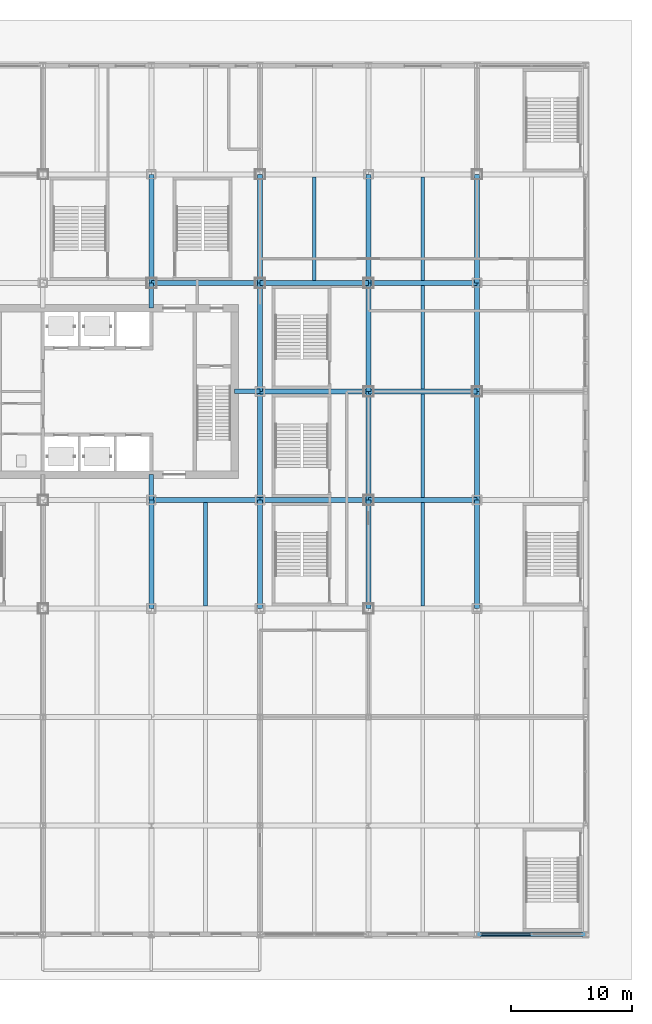
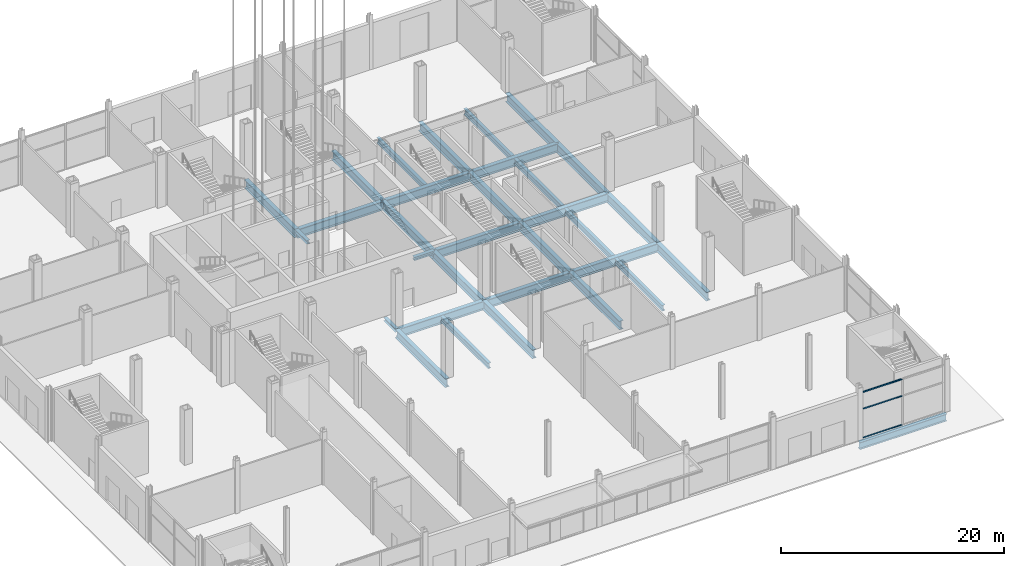
# One storey, part 11 of 34: 29 beams, 6 members, 1 element without a shape of its own.
"""IFC4 building model written with IfcOpenShell, lengths in metres."""

from ifc_helpers import new_model, si_unit, direction, frame, origin, origin_2d, place, context, subcontext, project, spatial, rectangle, i_section, extrude, material, material_profile, profile_set, type_object, element, aggregate, save


model = new_model("IFC4")

# Units and contexts
model_context = context("Model", 3, precision=1e-05, world=origin(), true_north=direction((0.0, 1.0)))
body_context = subcontext(model_context, "Body", "Model", "MODEL_VIEW")
ifc_project = project(units=[si_unit("LENGTHUNIT", "METRE"), si_unit("AREAUNIT", "SQUARE_METRE"), si_unit("VOLUMEUNIT", "CUBIC_METRE"), si_unit("PLANEANGLEUNIT", "RADIAN"), si_unit("MASSUNIT", "GRAM", prefix="KILO")], contexts=[model_context])

# Site, building, storey
site_placement = place(None, origin())
site = spatial("IfcSite", under=ifc_project, at=site_placement, CompositionType="ELEMENT")
building_placement = place(site_placement, origin())
building = spatial("IfcBuilding", under=site, at=building_placement, Name="Loomwork Tower", CompositionType="ELEMENT")
storey_placement = place(building_placement, origin())
storey = spatial("IfcBuildingStorey", under=building, at=storey_placement, Name="L00", CompositionType="ELEMENT", Elevation=0.0)

# Members
ifc_material_1 = material(Name="Steel ASTM A992", Category="steel")
ifc_material_profile_1 = material_profile(ifc_material_1, i_section(OverallWidth=0.373291015625, OverallDepth=0.373291015625, WebThickness=0.016357421875, FlangeThickness=0.026123046875, at=origin_2d()), Name="W14x132")
ifc_profile_set_1 = profile_set([ifc_material_profile_1], Name="Steel ASTM A992")
member_type_1 = type_object("IfcMemberType", Name="CORE LINK STRUT W14x132", PredefinedType="STRUT", material=ifc_profile_set_1)
for number, where, z_axis, x_axis, name in (
    (1, (36.0, 18.0, -0.486572265625), (-1.0, 0.0, 0.0), (0.0, -1.0, 0.0), "Core link strut F/6-33.900,18.000 L00"),
    (2, (27.0, 9.0, -0.486572265625), (0.0, 1.0, 0.0), (-1.0, 0.0, 0.0), "Core link strut E/5-27.000,11.100 L00"),
    (3, (27.0, 27.0, -0.486572265625), (0.0, -1.0, 0.0), (1.0, 0.0, 0.0), "Core link strut G/5-27.000,24.900 L00"),
):
    element("IfcMember", number, at=place(storey_placement, frame(where, z_axis=z_axis, x_axis=x_axis)), inside=storey, type_object=member_type_1, Name=name, PredefinedType="STRUT", context=body_context, shape_type="SweptSolid", body=[
        extrude(i_section(OverallWidth=0.373291015625, OverallDepth=0.373291015625, WebThickness=0.016357421875, FlangeThickness=0.026123046875, at=origin_2d()), origin(), (0.0, 0.0, 1.0), 2.10009765625),
    ])

# Beams
ifc_material_2 = material(Name="Steel ASTM A992", Category="steel")
ifc_material_profile_2 = material_profile(ifc_material_2, i_section(OverallWidth=0.381103515625, OverallDepth=0.77978515625, WebThickness=0.01806640625, FlangeThickness=0.0302734375, at=origin_2d()), Name="W30x191")
ifc_profile_set_2 = profile_set([ifc_material_profile_2], Name="Steel ASTM A992")
beam_type_1 = type_object("IfcBeamType", Name="EDGE GIRDER W30x191", PredefinedType="BEAM", material=ifc_profile_set_2)
beam_placement = place(storey_placement, frame((54.0, -27.0, -0.68994140625), z_axis=(1.0, 0.0, 0.0), x_axis=(0.0, 1.0, 0.0)))
element("IfcBeam", 4, at=beam_placement, inside=storey, type_object=beam_type_1, Name="Edge Girder A/8-A/9 L00", PredefinedType="BEAM", context=body_context, shape_type="SweptSolid", body=[
    extrude(i_section(OverallWidth=0.381103515625, OverallDepth=0.77978515625, WebThickness=0.01806640625, FlangeThickness=0.0302734375, at=origin_2d()), origin(), (0.0, 0.0, 1.0), 9.0),
])
ifc_material_3 = material(Name="Steel ASTM A992", Category="steel")
ifc_material_profile_3 = material_profile(ifc_material_3, i_section(OverallWidth=0.3251953125, OverallDepth=0.612060546875, WebThickness=0.0126953125, FlangeThickness=0.01904296875, at=origin_2d()), Name="W24x104")
ifc_profile_set_3 = profile_set([ifc_material_profile_3], Name="Steel ASTM A992")
beam_type_2 = type_object("IfcBeamType", Name="FLOOR JOIST W24x104", PredefinedType="JOIST", material=ifc_profile_set_3)
for number, where, z_axis, x_axis, name in (
    (5, (31.5, 0.2119140625, -0.60595703125), (0.0, 1.0, 0.0), (-1.0, 0.0, 0.0), "Floor Joist 31.500,0.000-31.500,9.000 L00"),
    (6, (40.5, 27.2119140625, -0.60595703125), (0.0, 1.0, 0.0), (-1.0, 0.0, 0.0), "Floor Joist 40.500,27.000-40.500,36.000 L00"),
    (7, (49.5, 0.2119140625, -0.60595703125), (0.0, 1.0, 0.0), (-1.0, 0.0, 0.0), "Floor Joist 49.500,0.000-49.500,9.000 L00"),
    (8, (49.5, 9.2119140625, -0.60595703125), (0.0, 1.0, 0.0), (-1.0, 0.0, 0.0), "Floor Joist 49.500,9.000-49.500,18.000 L00"),
    (9, (49.5, 18.2119140625, -0.60595703125), (0.0, 1.0, 0.0), (-1.0, 0.0, 0.0), "Floor Joist 49.500,18.000-49.500,27.000 L00"),
    (10, (49.5, 27.2119140625, -0.60595703125), (0.0, 1.0, 0.0), (-1.0, 0.0, 0.0), "Floor Joist 49.500,27.000-49.500,36.000 L00"),
):
    element("IfcBeam", number, at=place(storey_placement, frame(where, z_axis=z_axis, x_axis=x_axis)), inside=storey, type_object=beam_type_2, Name=name, PredefinedType="JOIST", context=body_context, shape_type="SweptSolid", body=[
        extrude(i_section(OverallWidth=0.3251953125, OverallDepth=0.612060546875, WebThickness=0.0126953125, FlangeThickness=0.01904296875, at=origin_2d()), origin(), (0.0, 0.0, 1.0), 8.576171875),
    ])

# Curtain wall, members
ifc_material_4 = material(Name="Aluminium storefront frame", Category="aluminium")
curtain_wall_type = type_object("IfcCurtainWallType", Name="Storefront glazing", PredefinedType="NOTDEFINED", material=ifc_material_4)
curtain_wall_placement = place(storey_placement, origin())
curtain_wall = element("IfcCurtainWall", 11, at=curtain_wall_placement, inside=storey, type_object=curtain_wall_type, Name="Storefront glazing cw/S-54", PredefinedType="NOTDEFINED")
ifc_material_5 = material(Name="Aluminium storefront frame", Category="aluminium")
ifc_material_profile_4 = material_profile(ifc_material_5, rectangle(XDim=0.14990234375, YDim=0.074951171875, at=origin_2d()), Name="AL 75x150")
ifc_profile_set_4 = profile_set([ifc_material_profile_4], Name="Aluminium storefront frame")
member_type_2 = type_object("IfcMemberType", Name="Storefront glazing transom", PredefinedType="USERDEFINED", material=ifc_profile_set_4)
member_1_placement = place(storey_placement, frame((54.404541015625, -27.0, 0.03759765625), z_axis=(1.0, 0.0, 0.0), x_axis=(0.0, 1.0, 0.0)))
member_1 = element("IfcMember", 12, at=member_1_placement, type_object=member_type_2, Name="CW7 transom 1.1", ObjectType="TRANSOM", PredefinedType="USERDEFINED", context=body_context, shape_type="SweptSolid", body=[
    extrude(rectangle(XDim=0.14990234375, YDim=0.074951171875, at=origin_2d()), origin(), (0.0, 0.0, 1.0), 3.997314453125),
])
member_2_placement = place(storey_placement, frame((54.404541015625, -27.0, 3.199951171875), z_axis=(1.0, 0.0, 0.0), x_axis=(0.0, 1.0, 0.0)))
member_2 = element("IfcMember", 13, at=member_2_placement, type_object=member_type_2, Name="CW7 transom 1.2", ObjectType="TRANSOM", PredefinedType="USERDEFINED", context=body_context, shape_type="SweptSolid", body=[
    extrude(rectangle(XDim=0.14990234375, YDim=0.074951171875, at=origin_2d()), origin(), (0.0, 0.0, 1.0), 3.997314453125),
])
member_3_placement = place(storey_placement, frame((54.404541015625, -27.0, 5.0166015625), z_axis=(1.0, 0.0, 0.0), x_axis=(0.0, 1.0, 0.0)))
member_3 = element("IfcMember", 14, at=member_3_placement, type_object=member_type_2, Name="CW7 transom 1.3", ObjectType="TRANSOM", PredefinedType="USERDEFINED", context=body_context, shape_type="SweptSolid", body=[
    extrude(rectangle(XDim=0.14990234375, YDim=0.074951171875, at=origin_2d()), origin(), (0.0, 0.0, 1.0), 3.997314453125),
])
aggregate(curtain_wall, [member_1, member_2, member_3])

# Beams
ifc_material_6 = material(Name="Steel ASTM A992", Category="steel")
ifc_material_profile_5 = material_profile(ifc_material_6, i_section(OverallWidth=0.424072265625, OverallDepth=0.947509765625, WebThickness=0.02392578125, FlangeThickness=0.042724609375, at=origin_2d()), Name="W36x302")
ifc_profile_set_5 = profile_set([ifc_material_profile_5], Name="Steel ASTM A992")
beam_type_3 = type_object("IfcBeamType", Name="TRANSFER FLOOR GIRDER W36x302", PredefinedType="BEAM", material=ifc_profile_set_5)
for number, where, z_axis, x_axis, name in (
    (15, (27.0, 9.0, -0.773681640625), (1.0, 0.0, 0.0), (0.0, 1.0, 0.0), "Transfer Floor Girder E/5-E/6 L00"),
    (16, (36.0, 9.0, -0.773681640625), (1.0, 0.0, 0.0), (0.0, 1.0, 0.0), "Transfer Floor Girder E/6-E/7 L00"),
    (17, (45.0, 9.0, -0.773681640625), (1.0, 0.0, 0.0), (0.0, 1.0, 0.0), "Transfer Floor Girder E/7-E/8 L00"),
    (18, (36.0, 18.0, -0.773681640625), (1.0, 0.0, 0.0), (0.0, 1.0, 0.0), "Transfer Floor Girder F/6-F/7 L00"),
    (19, (45.0, 18.0, -0.773681640625), (1.0, 0.0, 0.0), (0.0, 1.0, 0.0), "Transfer Floor Girder F/7-F/8 L00"),
    (20, (27.0, 27.0, -0.773681640625), (1.0, 0.0, 0.0), (0.0, 1.0, 0.0), "Transfer Floor Girder G/5-G/6 L00"),
    (21, (36.0, 27.0, -0.773681640625), (1.0, 0.0, 0.0), (0.0, 1.0, 0.0), "Transfer Floor Girder G/6-G/7 L00"),
    (22, (45.0, 27.0, -0.773681640625), (1.0, 0.0, 0.0), (0.0, 1.0, 0.0), "Transfer Floor Girder G/7-G/8 L00"),
    (23, (27.0, 0.0, -0.773681640625), (0.0, 1.0, 0.0), (-1.0, 0.0, 0.0), "Transfer Floor Girder D/5-E/5 L00"),
    (24, (27.0, 27.0, -0.773681640625), (0.0, 1.0, 0.0), (-1.0, 0.0, 0.0), "Transfer Floor Girder G/5-H/5 L00"),
    (25, (36.0, 0.0, -0.773681640625), (0.0, 1.0, 0.0), (-1.0, 0.0, 0.0), "Transfer Floor Girder D/6-E/6 L00"),
    (26, (36.0, 9.0, -0.773681640625), (0.0, 1.0, 0.0), (-1.0, 0.0, 0.0), "Transfer Floor Girder E/6-F/6 L00"),
    (27, (36.0, 18.0, -0.773681640625), (0.0, 1.0, 0.0), (-1.0, 0.0, 0.0), "Transfer Floor Girder F/6-G/6 L00"),
    (28, (36.0, 27.0, -0.773681640625), (0.0, 1.0, 0.0), (-1.0, 0.0, 0.0), "Transfer Floor Girder G/6-H/6 L00"),
    (29, (45.0, 0.0, -0.773681640625), (0.0, 1.0, 0.0), (-1.0, 0.0, 0.0), "Transfer Floor Girder D/7-E/7 L00"),
    (30, (45.0, 9.0, -0.773681640625), (0.0, 1.0, 0.0), (-1.0, 0.0, 0.0), "Transfer Floor Girder E/7-F/7 L00"),
    (31, (45.0, 18.0, -0.773681640625), (0.0, 1.0, 0.0), (-1.0, 0.0, 0.0), "Transfer Floor Girder F/7-G/7 L00"),
    (32, (45.0, 27.0, -0.773681640625), (0.0, 1.0, 0.0), (-1.0, 0.0, 0.0), "Transfer Floor Girder G/7-H/7 L00"),
    (33, (54.0, 0.0, -0.773681640625), (0.0, 1.0, 0.0), (-1.0, 0.0, 0.0), "Transfer Floor Girder D/8-E/8 L00"),
    (34, (54.0, 9.0, -0.773681640625), (0.0, 1.0, 0.0), (-1.0, 0.0, 0.0), "Transfer Floor Girder E/8-F/8 L00"),
    (35, (54.0, 18.0, -0.773681640625), (0.0, 1.0, 0.0), (-1.0, 0.0, 0.0), "Transfer Floor Girder F/8-G/8 L00"),
    (36, (54.0, 27.0, -0.773681640625), (0.0, 1.0, 0.0), (-1.0, 0.0, 0.0), "Transfer Floor Girder G/8-H/8 L00"),
):
    element("IfcBeam", number, at=place(storey_placement, frame(where, z_axis=z_axis, x_axis=x_axis)), inside=storey, type_object=beam_type_3, Name=name, PredefinedType="BEAM", context=body_context, shape_type="SweptSolid", body=[
        extrude(i_section(OverallWidth=0.424072265625, OverallDepth=0.947509765625, WebThickness=0.02392578125, FlangeThickness=0.042724609375, at=origin_2d()), origin(), (0.0, 0.0, 1.0), 9.0),
    ])

save(model, "model.ifc")
